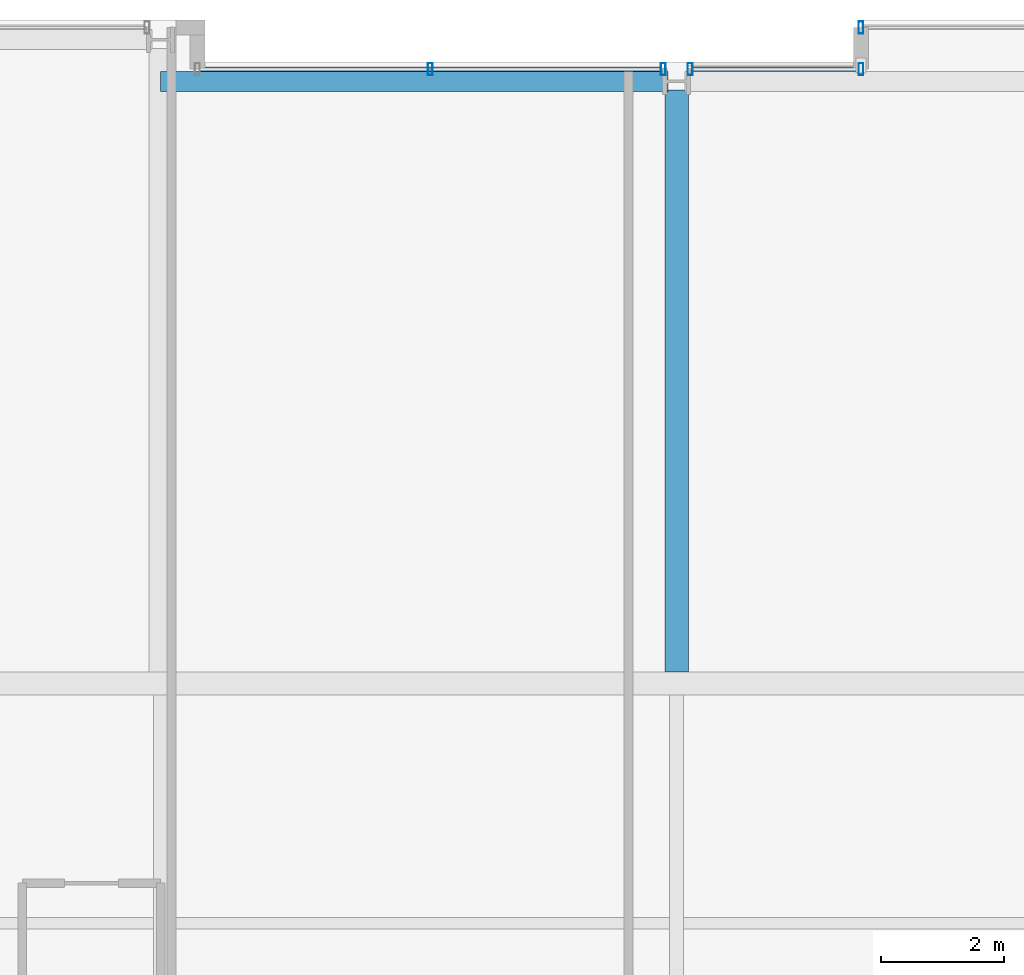
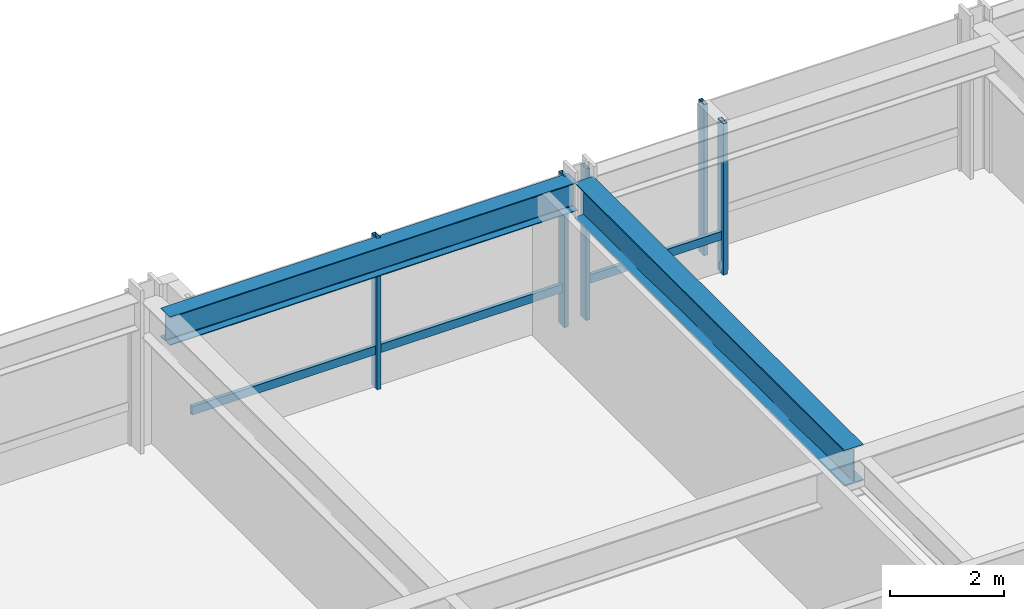
# One storey, part 22 of 34: 7 members, 2 beams, 3 elements without a shape of their own.
"""IFC4 building model written with IfcOpenShell, lengths in metres."""

from ifc_helpers import new_model, si_unit, direction, frame, origin, origin_2d, place, context, subcontext, project, spatial, hollow_rectangle, i_section, extrude, material, layer, layer_set, material_profile, profile_set, type_object, element, aggregate, save


model = new_model("IFC4")

# Units and contexts
model_context = context("Model", 3, precision=1e-05, world=origin(), true_north=direction((0.0, 1.0)))
body_context = subcontext(model_context, "Body", "Model", "MODEL_VIEW")
ifc_project = project(units=[si_unit("LENGTHUNIT", "METRE"), si_unit("AREAUNIT", "SQUARE_METRE"), si_unit("VOLUMEUNIT", "CUBIC_METRE"), si_unit("PLANEANGLEUNIT", "RADIAN"), si_unit("MASSUNIT", "GRAM", prefix="KILO")], contexts=[model_context])

# Site, building, storey
site_placement = place(None, origin())
site = spatial("IfcSite", under=ifc_project, at=site_placement, CompositionType="ELEMENT")
building_placement = place(site_placement, origin())
building = spatial("IfcBuilding", under=site, at=building_placement, Name="Drelvath Grand Hotel", CompositionType="ELEMENT")
storey_placement = place(building_placement, frame((0.0, 0.0, 109.300048828125)))
storey = spatial("IfcBuildingStorey", under=building, at=storey_placement, Name="L27", CompositionType="ELEMENT", Elevation=109.300048828125)

# Curtain wall, member
ifc_material_1 = material(Name="Champagne Bronze Anodised Aluminium Frame", Category="aluminium")
ifc_layer = layer(ifc_material_1, 0.199951171875)
ifc_layer_set = layer_set([ifc_layer], Name="Champagne Bronze Anodised Aluminium Frame")
curtain_wall_type = type_object("IfcCurtainWallType", Name="Stick Curtain Wall CW-03 Champagne Bronze Mid-Rise", PredefinedType="NOTDEFINED", material=ifc_layer_set)
curtain_wall_1_placement = place(storey_placement, origin())
curtain_wall_1 = element("IfcCurtainWall", 1, at=curtain_wall_1_placement, inside=storey, type_object=curtain_wall_type, Name="L27 CW-03 Curtain Wall CW03-L27-NM1", PredefinedType="NOTDEFINED")
ifc_material_profile_1 = material_profile(ifc_material_1, hollow_rectangle(XDim=0.074951171875, YDim=0.179931640625, WallThickness=0.0048828125, at=origin_2d()), Name="HSS180X75X5")
ifc_profile_set_1 = profile_set([ifc_material_profile_1], Name="Champagne Bronze Anodised Aluminium Frame")
member_type_1 = type_object("IfcMemberType", Name="Curtain Wall Horizontal Transom CW-03 HSS180X75X5", PredefinedType="USERDEFINED", material=ifc_profile_set_1)
member_1_placement = place(storey_placement, frame((-7.760009765625, 53.199951171875, 0.81005859375), z_axis=(1.0, 0.0, 0.0), x_axis=(0.0, 1.0, 0.0)))
member_1 = element("IfcMember", 2, at=member_1_placement, type_object=member_type_1, Name="CW03-L27-NM1 Sill Transom", ObjectType="TRANSOM", PredefinedType="USERDEFINED", context=body_context, shape_type="SweptSolid", body=[
    extrude(hollow_rectangle(XDim=0.074951171875, YDim=0.179931640625, WallThickness=0.0048828125, at=origin_2d()), origin(), (0.0, 0.0, 1.0), 7.50048828125),
])

curtain_wall_2_placement = place(storey_placement, origin())
curtain_wall_2 = element("IfcCurtainWall", 3, at=curtain_wall_2_placement, inside=storey, type_object=curtain_wall_type, Name="L27 CW-03 Curtain Wall CW03-L27-NM2", PredefinedType="NOTDEFINED")
member_2_placement = place(storey_placement, frame((0.259521484375, 53.199951171875, 0.81005859375), z_axis=(1.0, 0.0, 0.0), x_axis=(0.0, 1.0, 0.0)))
member_2 = element("IfcMember", 4, at=member_2_placement, type_object=member_type_1, Name="CW03-L27-NM2 Sill Transom", ObjectType="TRANSOM", PredefinedType="USERDEFINED", context=body_context, shape_type="SweptSolid", body=[
    extrude(hollow_rectangle(XDim=0.074951171875, YDim=0.179931640625, WallThickness=0.0048828125, at=origin_2d()), origin(), (0.0, 0.0, 1.0), 2.700439453125),
])

# Member
ifc_material_profile_2 = material_profile(ifc_material_1, hollow_rectangle(XDim=0.080078125, YDim=0.199951171875, WallThickness=0.0048828125, at=origin_2d()), Name="HSS200X80X5")
ifc_profile_set_2 = profile_set([ifc_material_profile_2], Name="Champagne Bronze Anodised Aluminium Frame")
member_type_2 = type_object("IfcMemberType", Name="Curtain Wall Vertical Mullion CW-03 HSS200X80X5", PredefinedType="MULLION", material=ifc_profile_set_2)
member_3_placement = place(storey_placement, frame((-4.009765625, 53.199951171875, 0.0), z_axis=(0.0, 0.0, 1.0), x_axis=(1.0, 0.0, 0.0)))
member_3 = element("IfcMember", 5, at=member_3_placement, type_object=member_type_2, Name="CW03-L27-NM1 Mullion 2", PredefinedType="MULLION", context=body_context, shape_type="SweptSolid", body=[
    extrude(hollow_rectangle(XDim=0.080078125, YDim=0.199951171875, WallThickness=0.0048828125, at=origin_2d()), origin(), (0.0, 0.0, 1.0), 3.239990234375),
])

member_4_placement = place(storey_placement, frame((-0.219482421875, 53.199951171875, 0.0), z_axis=(0.0, 0.0, 1.0), x_axis=(1.0, 0.0, 0.0)))
member_4 = element("IfcMember", 6, at=member_4_placement, type_object=member_type_2, Name="CW03-L27-NM1 Mullion 3", PredefinedType="MULLION", context=body_context, shape_type="SweptSolid", body=[
    extrude(hollow_rectangle(XDim=0.080078125, YDim=0.199951171875, WallThickness=0.0048828125, at=origin_2d()), origin(), (0.0, 0.0, 1.0), 3.239990234375),
])

aggregate(curtain_wall_1, [member_3, member_4, member_1])

member_5_placement = place(storey_placement, frame((0.219482421875, 53.199951171875, 0.0), z_axis=(0.0, 0.0, 1.0), x_axis=(1.0, 0.0, 0.0)))
member_5 = element("IfcMember", 7, at=member_5_placement, type_object=member_type_2, Name="CW03-L27-NM2 Mullion 1", PredefinedType="MULLION", context=body_context, shape_type="SweptSolid", body=[
    extrude(hollow_rectangle(XDim=0.080078125, YDim=0.199951171875, WallThickness=0.0048828125, at=origin_2d()), origin(), (0.0, 0.0, 1.0), 3.239990234375),
])

member_6_placement = place(storey_placement, frame((3.0, 53.199951171875, 0.0), z_axis=(0.0, 0.0, 1.0), x_axis=(1.0, 0.0, 0.0)))
member_6 = element("IfcMember", 8, at=member_6_placement, type_object=member_type_2, Name="CW03-L27-NM2 Mullion 2", PredefinedType="MULLION", context=body_context, shape_type="SweptSolid", body=[
    extrude(hollow_rectangle(XDim=0.080078125, YDim=0.199951171875, WallThickness=0.0048828125, at=origin_2d()), origin(), (0.0, 0.0, 1.0), 3.239990234375),
])

aggregate(curtain_wall_2, [member_5, member_6, member_2])

# Curtain wall, member
curtain_wall_3_placement = place(storey_placement, origin())
curtain_wall_3 = element("IfcCurtainWall", 9, at=curtain_wall_3_placement, inside=storey, type_object=curtain_wall_type, Name="L27 CW-03 Curtain Wall CW03-L27-NE1", PredefinedType="NOTDEFINED")
member_7_placement = place(storey_placement, frame((3.0, 53.8798828125, 0.0), z_axis=(0.0, 0.0, 1.0), x_axis=(1.0, 0.0, 0.0)))
member_7 = element("IfcMember", 10, at=member_7_placement, type_object=member_type_2, Name="CW03-L27-NE1 Mullion 1", PredefinedType="MULLION", context=body_context, shape_type="SweptSolid", body=[
    extrude(hollow_rectangle(XDim=0.080078125, YDim=0.199951171875, WallThickness=0.0048828125, at=origin_2d()), origin(), (0.0, 0.0, 1.0), 3.239990234375),
])
aggregate(curtain_wall_3, [member_7])

# Beams
ifc_material_2 = material(Name="Steel ASTM A992 Gr 50", Category="steel")
ifc_material_profile_3 = material_profile(ifc_material_2, i_section(OverallWidth=0.323974609375, OverallDepth=0.611083984375, WebThickness=0.0126953125, FlangeThickness=0.01904296875, FilletRadius=0.02197265625, at=origin_2d()), Name="W24X104")
ifc_profile_set_3 = profile_set([ifc_material_profile_3], Name="Steel ASTM A992 Gr 50")
beam_type_1 = type_object("IfcBeamType", Name="Perimeter Spandrel Beam W24X104", PredefinedType="SPANDREL", material=ifc_profile_set_3)
beam_1_placement = place(storey_placement, frame((-8.39990234375, 53.0, 2.9345703125), z_axis=(1.0, 0.0, 0.0), x_axis=(0.0, 1.0, 0.0)))
element("IfcBeam", 11, at=beam_1_placement, inside=storey, type_object=beam_type_1, Name="L27 Spandrel North Mid W", PredefinedType="SPANDREL", context=body_context, shape_type="SweptSolid", body=[
    extrude(i_section(OverallWidth=0.323974609375, OverallDepth=0.611083984375, WebThickness=0.0126953125, FlangeThickness=0.01904296875, FilletRadius=0.02197265625, at=origin_2d()), origin(), (0.0, 0.0, 1.0), 8.260009765625),
])
ifc_material_profile_4 = material_profile(ifc_material_2, i_section(OverallWidth=0.380615234375, OverallDepth=0.773193359375, WebThickness=0.0166015625, FlangeThickness=0.027099609375, FilletRadius=0.02490234375, at=origin_2d()), Name="W30X173")
ifc_profile_set_4 = profile_set([ifc_material_profile_4], Name="Steel ASTM A992 Gr 50")
beam_type_2 = type_object("IfcBeamType", Name="Primary Floor Girder W30X173", PredefinedType="BEAM", material=ifc_profile_set_4)
beam_2_placement = place(storey_placement, frame((0.0, 43.390380859375, 2.853271484375), z_axis=(0.0, 1.0, 0.0), x_axis=(-1.0, 0.0, 0.0)))
element("IfcBeam", 12, at=beam_2_placement, inside=storey, type_object=beam_type_2, Name="L27 North Wing Girder 5", PredefinedType="BEAM", context=body_context, shape_type="SweptSolid", body=[
    extrude(i_section(OverallWidth=0.380615234375, OverallDepth=0.773193359375, WebThickness=0.0166015625, FlangeThickness=0.027099609375, FilletRadius=0.02490234375, at=origin_2d()), origin(), (0.0, 0.0, 1.0), 9.4697265625),
])

save(model, "model.ifc")
